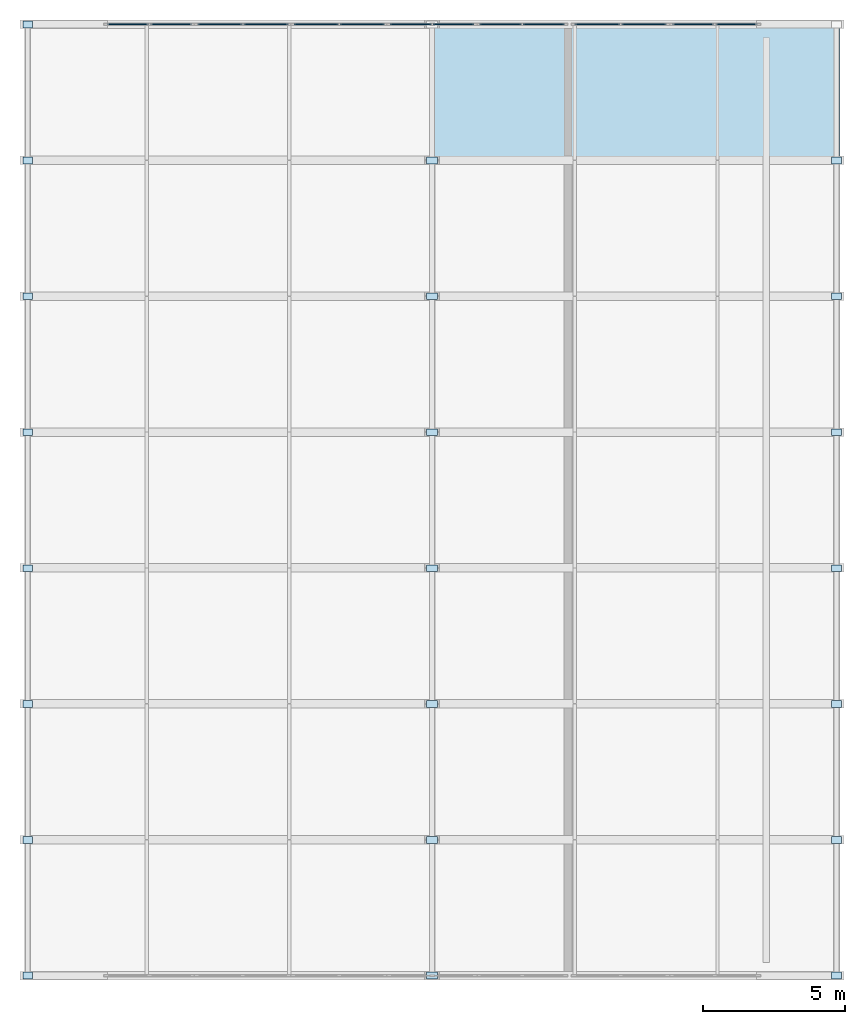
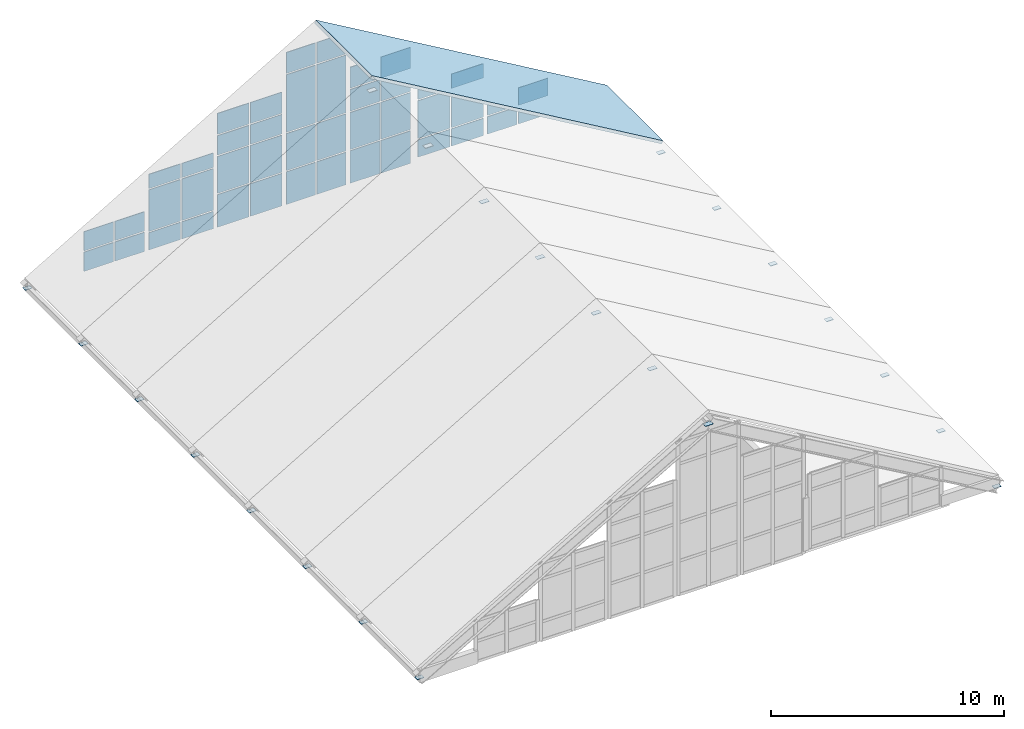
# One storey, part 6 of 7: 66 plates, 1 slab, 7 elements without a shape of their own.
"""IFC4 building model written with IfcOpenShell, lengths in metres."""

from ifc_helpers import new_model, si_unit, direction, frame, origin, origin_2d, place, context, subcontext, project, spatial, polyline, rectangle, outline, extrude, material, layer, layer_set, type_object, element, aggregate, save


model = new_model("IFC4")

# Units and contexts
model_context = context("Model", 3, precision=1e-05, world=origin(), true_north=direction((0.0, 1.0)))
body_context = subcontext(model_context, "Body", "Model", "MODEL_VIEW")
ifc_project = project(units=[si_unit("LENGTHUNIT", "METRE"), si_unit("AREAUNIT", "SQUARE_METRE"), si_unit("VOLUMEUNIT", "CUBIC_METRE"), si_unit("PLANEANGLEUNIT", "RADIAN"), si_unit("MASSUNIT", "GRAM", prefix="KILO")], contexts=[model_context])

# Site, building, storey
site_placement = place(None, origin())
site = spatial("IfcSite", under=ifc_project, at=site_placement, CompositionType="ELEMENT")
building_placement = place(site_placement, origin())
building = spatial("IfcBuilding", under=site, at=building_placement, Name="Nordkorset Police Headquarters", CompositionType="ELEMENT")
storey_placement = place(building_placement, frame((0.0, 0.0, 36.050048828125)))
storey = spatial("IfcBuildingStorey", under=building, at=storey_placement, Name="RF", CompositionType="ELEMENT", Elevation=36.050048828125)

# Curtain wall, plates
ifc_material_1 = material(Name="Aluminium alloy AW-6060", Category="aluminium")
ifc_layer_1 = layer(ifc_material_1, 0.179931640625, Name="Aluminium alloy AW-6060")
ifc_layer_set_1 = layer_set([ifc_layer_1], Name="Aluminium alloy AW-6060")
curtain_wall_type_1 = type_object("IfcCurtainWallType", Name="CW_Unit_312x221", PredefinedType="USERDEFINED", material=ifc_layer_set_1)
curtain_wall_1_placement = place(storey_placement, origin())
curtain_wall_1 = element("IfcCurtainWall", 1, at=curtain_wall_1_placement, inside=storey, type_object=curtain_wall_type_1, Name="Unitised Curtain Wall RF V1GBL-N-G1", ObjectType="UNITISED CURTAIN WALL", PredefinedType="USERDEFINED")
ifc_material_2 = material(Name="Low-iron triple glazing", Category="glass")
ifc_layer_2 = layer(ifc_material_2, 0.035888671875, Name="Low-iron triple glazing")
ifc_layer_set_2 = layer_set([ifc_layer_2], Name="Low-iron triple glazing")
plate_type_1 = type_object("IfcPlateType", Name="CW_Panel_TripleGlazing_36", PredefinedType="CURTAIN_PANEL", material=ifc_layer_set_2)
plate_1_placement = place(storey_placement, frame((3.65625, 116.800048828125, -0.125), z_axis=(0.0, 0.0, 1.0), x_axis=(1.0, 0.0, 0.0)))
plate_1 = element("IfcPlate", 2, at=plate_1_placement, type_object=plate_type_1, Name="CW-43 panel 1.1", PredefinedType="CURTAIN_PANEL", context=body_context, shape_type="SweptSolid", body=[
    extrude(rectangle(XDim=1.46240234375, YDim=0.035888671875, at=origin_2d()), origin(), (0.0, 0.0, 1.0), 1.00830078125),
])
plate_2_placement = place(storey_placement, frame((3.65625, 116.800048828125, 0.9482421875), z_axis=(0.0, 0.0, 1.0), x_axis=(1.0, 0.0, 0.0)))
plate_2 = element("IfcPlate", 3, at=plate_2_placement, type_object=plate_type_1, Name="CW-43 panel 1.2", PredefinedType="CURTAIN_PANEL", context=body_context, shape_type="SweptSolid", body=[
    extrude(rectangle(XDim=1.46240234375, YDim=0.035888671875, at=origin_2d()), origin(), (0.0, 0.0, 1.0), 1.00830078125),
])
plate_3_placement = place(storey_placement, frame((5.183837890625, 116.800048828125, -0.125), z_axis=(0.0, 0.0, 1.0), x_axis=(1.0, 0.0, 0.0)))
plate_3 = element("IfcPlate", 4, at=plate_3_placement, type_object=plate_type_1, Name="CW-43 panel 2.1", PredefinedType="CURTAIN_PANEL", context=body_context, shape_type="SweptSolid", body=[
    extrude(rectangle(XDim=1.46240234375, YDim=0.035888671875, at=origin_2d()), origin(), (0.0, 0.0, 1.0), 1.00830078125),
])
plate_4_placement = place(storey_placement, frame((5.183837890625, 116.800048828125, 0.9482421875), z_axis=(0.0, 0.0, 1.0), x_axis=(1.0, 0.0, 0.0)))
plate_4 = element("IfcPlate", 5, at=plate_4_placement, type_object=plate_type_1, Name="CW-43 panel 2.2", PredefinedType="CURTAIN_PANEL", context=body_context, shape_type="SweptSolid", body=[
    extrude(rectangle(XDim=1.46240234375, YDim=0.035888671875, at=origin_2d()), origin(), (0.0, 0.0, 1.0), 1.00830078125),
])
aggregate(curtain_wall_1, [plate_1, plate_2, plate_3, plate_4])

ifc_material_3 = material(Name="Aluminium alloy AW-6060", Category="aluminium")
ifc_layer_3 = layer(ifc_material_3, 0.179931640625, Name="Aluminium alloy AW-6060")
ifc_layer_set_3 = layer_set([ifc_layer_3], Name="Aluminium alloy AW-6060")
curtain_wall_type_2 = type_object("IfcCurtainWallType", Name="CW_Unit_332x409", PredefinedType="USERDEFINED", material=ifc_layer_set_3)
curtain_wall_2_placement = place(storey_placement, origin())
curtain_wall_2 = element("IfcCurtainWall", 6, at=curtain_wall_2_placement, inside=storey, type_object=curtain_wall_type_2, Name="Unitised Curtain Wall RF V1GBL-N-G2", ObjectType="UNITISED CURTAIN WALL", PredefinedType="USERDEFINED")
plate_5_placement = place(storey_placement, frame((6.90625, 116.800048828125, -0.125), z_axis=(0.0, 0.0, 1.0), x_axis=(1.0, 0.0, 0.0)))
plate_5 = element("IfcPlate", 7, at=plate_5_placement, type_object=plate_type_1, Name="CW-37 panel 1.1", PredefinedType="CURTAIN_PANEL", context=body_context, shape_type="SweptSolid", body=[
    extrude(rectangle(XDim=1.5625, YDim=0.035888671875, at=origin_2d()), origin(), (0.0, 0.0, 1.0), 0.902587890625),
])
plate_6_placement = place(storey_placement, frame((6.90625, 116.800048828125, 0.842529296875), z_axis=(0.0, 0.0, 1.0), x_axis=(1.0, 0.0, 0.0)))
plate_6 = element("IfcPlate", 8, at=plate_6_placement, type_object=plate_type_1, Name="CW-37 panel 1.2", PredefinedType="CURTAIN_PANEL", context=body_context, shape_type="SweptSolid", body=[
    extrude(rectangle(XDim=1.5625, YDim=0.035888671875, at=origin_2d()), origin(), (0.0, 0.0, 1.0), 2.17431640625),
])
plate_7_placement = place(storey_placement, frame((6.90625, 116.800048828125, 3.081787109375), z_axis=(0.0, 0.0, 1.0), x_axis=(1.0, 0.0, 0.0)))
plate_7 = element("IfcPlate", 9, at=plate_7_placement, type_object=plate_type_1, Name="CW-37 panel 1.3", PredefinedType="CURTAIN_PANEL", context=body_context, shape_type="SweptSolid", body=[
    extrude(rectangle(XDim=1.5625, YDim=0.035888671875, at=origin_2d()), origin(), (0.0, 0.0, 1.0), 0.75244140625),
])
plate_8_placement = place(storey_placement, frame((8.53369140625, 116.800048828125, -0.125), z_axis=(0.0, 0.0, 1.0), x_axis=(1.0, 0.0, 0.0)))
plate_8 = element("IfcPlate", 10, at=plate_8_placement, type_object=plate_type_1, Name="CW-37 panel 2.1", PredefinedType="CURTAIN_PANEL", context=body_context, shape_type="SweptSolid", body=[
    extrude(rectangle(XDim=1.5625, YDim=0.035888671875, at=origin_2d()), origin(), (0.0, 0.0, 1.0), 0.902587890625),
])
plate_9_placement = place(storey_placement, frame((8.53369140625, 116.800048828125, 0.842529296875), z_axis=(0.0, 0.0, 1.0), x_axis=(1.0, 0.0, 0.0)))
plate_9 = element("IfcPlate", 11, at=plate_9_placement, type_object=plate_type_1, Name="CW-37 panel 2.2", PredefinedType="CURTAIN_PANEL", context=body_context, shape_type="SweptSolid", body=[
    extrude(rectangle(XDim=1.5625, YDim=0.035888671875, at=origin_2d()), origin(), (0.0, 0.0, 1.0), 2.17431640625),
])
plate_10_placement = place(storey_placement, frame((8.53369140625, 116.800048828125, 3.081787109375), z_axis=(0.0, 0.0, 1.0), x_axis=(1.0, 0.0, 0.0)))
plate_10 = element("IfcPlate", 12, at=plate_10_placement, type_object=plate_type_1, Name="CW-37 panel 2.3", PredefinedType="CURTAIN_PANEL", context=body_context, shape_type="SweptSolid", body=[
    extrude(rectangle(XDim=1.5625, YDim=0.035888671875, at=origin_2d()), origin(), (0.0, 0.0, 1.0), 0.75244140625),
])
aggregate(curtain_wall_2, [plate_5, plate_6, plate_7, plate_8, plate_9, plate_10])

ifc_material_4 = material(Name="Aluminium alloy AW-6060", Category="aluminium")
ifc_layer_4 = layer(ifc_material_4, 0.179931640625, Name="Aluminium alloy AW-6060")
ifc_layer_set_4 = layer_set([ifc_layer_4], Name="Aluminium alloy AW-6060")
curtain_wall_type_3 = type_object("IfcCurtainWallType", Name="CW_Unit_332x608", PredefinedType="USERDEFINED", material=ifc_layer_set_4)
curtain_wall_3_placement = place(storey_placement, origin())
curtain_wall_3 = element("IfcCurtainWall", 13, at=curtain_wall_3_placement, inside=storey, type_object=curtain_wall_type_3, Name="Unitised Curtain Wall RF V1GBL-N-G3", ObjectType="UNITISED CURTAIN WALL", PredefinedType="USERDEFINED")
plate_11_placement = place(storey_placement, frame((10.30615234375, 116.800048828125, -0.125), z_axis=(0.0, 0.0, 1.0), x_axis=(1.0, 0.0, 0.0)))
plate_11 = element("IfcPlate", 14, at=plate_11_placement, type_object=plate_type_1, Name="CW-15 panel 1.1", PredefinedType="CURTAIN_PANEL", context=body_context, shape_type="SweptSolid", body=[
    extrude(rectangle(XDim=1.5625, YDim=0.035888671875, at=origin_2d()), origin(), (0.0, 0.0, 1.0), 1.702392578125),
])
plate_12_placement = place(storey_placement, frame((10.30615234375, 116.800048828125, 1.642333984375), z_axis=(0.0, 0.0, 1.0), x_axis=(1.0, 0.0, 0.0)))
plate_12 = element("IfcPlate", 15, at=plate_12_placement, type_object=plate_type_1, Name="CW-15 panel 1.2", PredefinedType="CURTAIN_PANEL", context=body_context, shape_type="SweptSolid", body=[
    extrude(rectangle(XDim=1.5625, YDim=0.035888671875, at=origin_2d()), origin(), (0.0, 0.0, 1.0), 1.93505859375),
])
plate_13_placement = place(storey_placement, frame((10.30615234375, 116.800048828125, 3.642578125), z_axis=(0.0, 0.0, 1.0), x_axis=(1.0, 0.0, 0.0)))
plate_13 = element("IfcPlate", 16, at=plate_13_placement, type_object=plate_type_1, Name="CW-15 panel 1.3", PredefinedType="CURTAIN_PANEL", context=body_context, shape_type="SweptSolid", body=[
    extrude(rectangle(XDim=1.5625, YDim=0.035888671875, at=origin_2d()), origin(), (0.0, 0.0, 1.0), 1.019287109375),
])
plate_14_placement = place(storey_placement, frame((10.30615234375, 116.800048828125, 4.726806640625), z_axis=(0.0, 0.0, 1.0), x_axis=(1.0, 0.0, 0.0)))
plate_14 = element("IfcPlate", 17, at=plate_14_placement, type_object=plate_type_1, Name="CW-15 panel 1.4", PredefinedType="CURTAIN_PANEL", context=body_context, shape_type="SweptSolid", body=[
    extrude(rectangle(XDim=1.5625, YDim=0.035888671875, at=origin_2d()), origin(), (0.0, 0.0, 1.0), 1.1025390625),
])
plate_15_placement = place(storey_placement, frame((11.933837890625, 116.800048828125, -0.125), z_axis=(0.0, 0.0, 1.0), x_axis=(1.0, 0.0, 0.0)))
plate_15 = element("IfcPlate", 18, at=plate_15_placement, type_object=plate_type_1, Name="CW-15 panel 2.1", PredefinedType="CURTAIN_PANEL", context=body_context, shape_type="SweptSolid", body=[
    extrude(rectangle(XDim=1.5625, YDim=0.035888671875, at=origin_2d()), origin(), (0.0, 0.0, 1.0), 1.702392578125),
])
plate_16_placement = place(storey_placement, frame((11.933837890625, 116.800048828125, 1.642333984375), z_axis=(0.0, 0.0, 1.0), x_axis=(1.0, 0.0, 0.0)))
plate_16 = element("IfcPlate", 19, at=plate_16_placement, type_object=plate_type_1, Name="CW-15 panel 2.2", PredefinedType="CURTAIN_PANEL", context=body_context, shape_type="SweptSolid", body=[
    extrude(rectangle(XDim=1.5625, YDim=0.035888671875, at=origin_2d()), origin(), (0.0, 0.0, 1.0), 1.93505859375),
])
plate_17_placement = place(storey_placement, frame((11.933837890625, 116.800048828125, 3.642578125), z_axis=(0.0, 0.0, 1.0), x_axis=(1.0, 0.0, 0.0)))
plate_17 = element("IfcPlate", 20, at=plate_17_placement, type_object=plate_type_1, Name="CW-15 panel 2.3", PredefinedType="CURTAIN_PANEL", context=body_context, shape_type="SweptSolid", body=[
    extrude(rectangle(XDim=1.5625, YDim=0.035888671875, at=origin_2d()), origin(), (0.0, 0.0, 1.0), 1.019287109375),
])
plate_18_placement = place(storey_placement, frame((11.933837890625, 116.800048828125, 4.726806640625), z_axis=(0.0, 0.0, 1.0), x_axis=(1.0, 0.0, 0.0)))
plate_18 = element("IfcPlate", 21, at=plate_18_placement, type_object=plate_type_1, Name="CW-15 panel 2.4", PredefinedType="CURTAIN_PANEL", context=body_context, shape_type="SweptSolid", body=[
    extrude(rectangle(XDim=1.5625, YDim=0.035888671875, at=origin_2d()), origin(), (0.0, 0.0, 1.0), 1.1025390625),
])
aggregate(curtain_wall_3, [plate_11, plate_12, plate_13, plate_14, plate_15, plate_16, plate_17, plate_18])

ifc_material_5 = material(Name="Aluminium alloy AW-6060", Category="aluminium")
ifc_layer_5 = layer(ifc_material_5, 0.179931640625, Name="Aluminium alloy AW-6060")
ifc_layer_set_5 = layer_set([ifc_layer_5], Name="Aluminium alloy AW-6060")
curtain_wall_type_4 = type_object("IfcCurtainWallType", Name="CW_Unit_308x808", PredefinedType="USERDEFINED", material=ifc_layer_set_5)
curtain_wall_4_placement = place(storey_placement, origin())
curtain_wall_4 = element("IfcCurtainWall", 22, at=curtain_wall_4_placement, inside=storey, type_object=curtain_wall_type_4, Name="Unitised Curtain Wall RF V1GBL-N-G4", ObjectType="UNITISED CURTAIN WALL", PredefinedType="USERDEFINED")
plate_19_placement = place(storey_placement, frame((13.646240234375, 116.800048828125, -0.125), z_axis=(0.0, 0.0, 1.0), x_axis=(1.0, 0.0, 0.0)))
plate_19 = element("IfcPlate", 23, at=plate_19_placement, type_object=plate_type_1, Name="CW-30 panel 1.1", PredefinedType="CURTAIN_PANEL", context=body_context, shape_type="SweptSolid", body=[
    extrude(rectangle(XDim=1.4423828125, YDim=0.035888671875, at=origin_2d()), origin(), (0.0, 0.0, 1.0), 1.702392578125),
])
plate_20_placement = place(storey_placement, frame((13.646240234375, 116.800048828125, 1.642333984375), z_axis=(0.0, 0.0, 1.0), x_axis=(1.0, 0.0, 0.0)))
plate_20 = element("IfcPlate", 24, at=plate_20_placement, type_object=plate_type_1, Name="CW-30 panel 1.2", PredefinedType="CURTAIN_PANEL", context=body_context, shape_type="SweptSolid", body=[
    extrude(rectangle(XDim=1.4423828125, YDim=0.035888671875, at=origin_2d()), origin(), (0.0, 0.0, 1.0), 1.93505859375),
])
plate_21_placement = place(storey_placement, frame((13.646240234375, 116.800048828125, 3.642333984375), z_axis=(0.0, 0.0, 1.0), x_axis=(1.0, 0.0, 0.0)))
plate_21 = element("IfcPlate", 25, at=plate_21_placement, type_object=plate_type_1, Name="CW-30 panel 1.3", PredefinedType="CURTAIN_PANEL", context=body_context, shape_type="SweptSolid", body=[
    extrude(rectangle(XDim=1.4423828125, YDim=0.035888671875, at=origin_2d()), origin(), (0.0, 0.0, 1.0), 3.0146484375),
])
plate_22_placement = place(storey_placement, frame((13.646240234375, 116.800048828125, 6.721923828125), z_axis=(0.0, 0.0, 1.0), x_axis=(1.0, 0.0, 0.0)))
plate_22 = element("IfcPlate", 26, at=plate_22_placement, type_object=plate_type_1, Name="CW-30 panel 1.4", PredefinedType="CURTAIN_PANEL", context=body_context, shape_type="SweptSolid", body=[
    extrude(rectangle(XDim=1.4423828125, YDim=0.035888671875, at=origin_2d()), origin(), (0.0, 0.0, 1.0), 1.1025390625),
])
plate_23_placement = place(storey_placement, frame((15.15380859375, 116.800048828125, -0.125), z_axis=(0.0, 0.0, 1.0), x_axis=(1.0, 0.0, 0.0)))
plate_23 = element("IfcPlate", 27, at=plate_23_placement, type_object=plate_type_1, Name="CW-30 panel 2.1", PredefinedType="CURTAIN_PANEL", context=body_context, shape_type="SweptSolid", body=[
    extrude(rectangle(XDim=1.4423828125, YDim=0.035888671875, at=origin_2d()), origin(), (0.0, 0.0, 1.0), 1.702392578125),
])
plate_24_placement = place(storey_placement, frame((15.15380859375, 116.800048828125, 1.642333984375), z_axis=(0.0, 0.0, 1.0), x_axis=(1.0, 0.0, 0.0)))
plate_24 = element("IfcPlate", 28, at=plate_24_placement, type_object=plate_type_1, Name="CW-30 panel 2.2", PredefinedType="CURTAIN_PANEL", context=body_context, shape_type="SweptSolid", body=[
    extrude(rectangle(XDim=1.4423828125, YDim=0.035888671875, at=origin_2d()), origin(), (0.0, 0.0, 1.0), 1.93505859375),
])
plate_25_placement = place(storey_placement, frame((15.15380859375, 116.800048828125, 3.642333984375), z_axis=(0.0, 0.0, 1.0), x_axis=(1.0, 0.0, 0.0)))
plate_25 = element("IfcPlate", 29, at=plate_25_placement, type_object=plate_type_1, Name="CW-30 panel 2.3", PredefinedType="CURTAIN_PANEL", context=body_context, shape_type="SweptSolid", body=[
    extrude(rectangle(XDim=1.4423828125, YDim=0.035888671875, at=origin_2d()), origin(), (0.0, 0.0, 1.0), 3.0146484375),
])
plate_26_placement = place(storey_placement, frame((15.15380859375, 116.800048828125, 6.721923828125), z_axis=(0.0, 0.0, 1.0), x_axis=(1.0, 0.0, 0.0)))
plate_26 = element("IfcPlate", 30, at=plate_26_placement, type_object=plate_type_1, Name="CW-30 panel 2.4", PredefinedType="CURTAIN_PANEL", context=body_context, shape_type="SweptSolid", body=[
    extrude(rectangle(XDim=1.4423828125, YDim=0.035888671875, at=origin_2d()), origin(), (0.0, 0.0, 1.0), 1.1025390625),
])
aggregate(curtain_wall_4, [plate_19, plate_20, plate_21, plate_22, plate_23, plate_24, plate_25, plate_26])

ifc_material_6 = material(Name="Aluminium alloy AW-6060", Category="aluminium")
ifc_layer_6 = layer(ifc_material_6, 0.179931640625, Name="Aluminium alloy AW-6060")
ifc_layer_set_6 = layer_set([ifc_layer_6], Name="Aluminium alloy AW-6060")
curtain_wall_type_5 = type_object("IfcCurtainWallType", Name="CW_Unit_312x620", PredefinedType="USERDEFINED", material=ifc_layer_set_6)
curtain_wall_5_placement = place(storey_placement, origin())
curtain_wall_5 = element("IfcCurtainWall", 31, at=curtain_wall_5_placement, inside=storey, type_object=curtain_wall_type_5, Name="Unitised Curtain Wall RF V1GBL-N-G5", ObjectType="UNITISED CURTAIN WALL", PredefinedType="USERDEFINED")
plate_27_placement = place(storey_placement, frame((16.816162109375, 116.800048828125, -0.125), z_axis=(0.0, 0.0, 1.0), x_axis=(1.0, 0.0, 0.0)))
plate_27 = element("IfcPlate", 32, at=plate_27_placement, type_object=plate_type_1, Name="CW-44 panel 1.1", PredefinedType="CURTAIN_PANEL", context=body_context, shape_type="SweptSolid", body=[
    extrude(rectangle(XDim=1.46240234375, YDim=0.035888671875, at=origin_2d()), origin(), (0.0, 0.0, 1.0), 1.702392578125),
])
plate_28_placement = place(storey_placement, frame((16.816162109375, 116.800048828125, 1.642333984375), z_axis=(0.0, 0.0, 1.0), x_axis=(1.0, 0.0, 0.0)))
plate_28 = element("IfcPlate", 33, at=plate_28_placement, type_object=plate_type_1, Name="CW-44 panel 1.2", PredefinedType="CURTAIN_PANEL", context=body_context, shape_type="SweptSolid", body=[
    extrude(rectangle(XDim=1.46240234375, YDim=0.035888671875, at=origin_2d()), origin(), (0.0, 0.0, 1.0), 1.93505859375),
])
plate_29_placement = place(storey_placement, frame((16.816162109375, 116.800048828125, 3.642578125), z_axis=(0.0, 0.0, 1.0), x_axis=(1.0, 0.0, 0.0)))
plate_29 = element("IfcPlate", 34, at=plate_29_placement, type_object=plate_type_1, Name="CW-44 panel 1.3", PredefinedType="CURTAIN_PANEL", context=body_context, shape_type="SweptSolid", body=[
    extrude(rectangle(XDim=1.46240234375, YDim=0.035888671875, at=origin_2d()), origin(), (0.0, 0.0, 1.0), 1.13671875),
])
plate_30_placement = place(storey_placement, frame((16.816162109375, 116.800048828125, 4.84423828125), z_axis=(0.0, 0.0, 1.0), x_axis=(1.0, 0.0, 0.0)))
plate_30 = element("IfcPlate", 35, at=plate_30_placement, type_object=plate_type_1, Name="CW-44 panel 1.4", PredefinedType="CURTAIN_PANEL", context=body_context, shape_type="SweptSolid", body=[
    extrude(rectangle(XDim=1.46240234375, YDim=0.035888671875, at=origin_2d()), origin(), (0.0, 0.0, 1.0), 1.1025390625),
])
plate_31_placement = place(storey_placement, frame((18.34375, 116.800048828125, -0.125), z_axis=(0.0, 0.0, 1.0), x_axis=(1.0, 0.0, 0.0)))
plate_31 = element("IfcPlate", 36, at=plate_31_placement, type_object=plate_type_1, Name="CW-44 panel 2.1", PredefinedType="CURTAIN_PANEL", context=body_context, shape_type="SweptSolid", body=[
    extrude(rectangle(XDim=1.46240234375, YDim=0.035888671875, at=origin_2d()), origin(), (0.0, 0.0, 1.0), 1.702392578125),
])
plate_32_placement = place(storey_placement, frame((18.34375, 116.800048828125, 1.642333984375), z_axis=(0.0, 0.0, 1.0), x_axis=(1.0, 0.0, 0.0)))
plate_32 = element("IfcPlate", 37, at=plate_32_placement, type_object=plate_type_1, Name="CW-44 panel 2.2", PredefinedType="CURTAIN_PANEL", context=body_context, shape_type="SweptSolid", body=[
    extrude(rectangle(XDim=1.46240234375, YDim=0.035888671875, at=origin_2d()), origin(), (0.0, 0.0, 1.0), 1.93505859375),
])
plate_33_placement = place(storey_placement, frame((18.34375, 116.800048828125, 3.642578125), z_axis=(0.0, 0.0, 1.0), x_axis=(1.0, 0.0, 0.0)))
plate_33 = element("IfcPlate", 38, at=plate_33_placement, type_object=plate_type_1, Name="CW-44 panel 2.3", PredefinedType="CURTAIN_PANEL", context=body_context, shape_type="SweptSolid", body=[
    extrude(rectangle(XDim=1.46240234375, YDim=0.035888671875, at=origin_2d()), origin(), (0.0, 0.0, 1.0), 1.13671875),
])
plate_34_placement = place(storey_placement, frame((18.34375, 116.800048828125, 4.84423828125), z_axis=(0.0, 0.0, 1.0), x_axis=(1.0, 0.0, 0.0)))
plate_34 = element("IfcPlate", 39, at=plate_34_placement, type_object=plate_type_1, Name="CW-44 panel 2.4", PredefinedType="CURTAIN_PANEL", context=body_context, shape_type="SweptSolid", body=[
    extrude(rectangle(XDim=1.46240234375, YDim=0.035888671875, at=origin_2d()), origin(), (0.0, 0.0, 1.0), 1.1025390625),
])
aggregate(curtain_wall_5, [plate_27, plate_28, plate_29, plate_30, plate_31, plate_32, plate_33, plate_34])

ifc_material_7 = material(Name="Aluminium alloy AW-6060", Category="aluminium")
ifc_layer_7 = layer(ifc_material_7, 0.179931640625, Name="Aluminium alloy AW-6060")
ifc_layer_set_7 = layer_set([ifc_layer_7], Name="Aluminium alloy AW-6060")
curtain_wall_type_6 = type_object("IfcCurtainWallType", Name="CW_Unit_336x390", PredefinedType="USERDEFINED", material=ifc_layer_set_7)
curtain_wall_6_placement = place(storey_placement, origin())
curtain_wall_6 = element("IfcCurtainWall", 40, at=curtain_wall_6_placement, inside=storey, type_object=curtain_wall_type_6, Name="Unitised Curtain Wall RF V1GBL-N-G6", ObjectType="UNITISED CURTAIN WALL", PredefinedType="USERDEFINED")
plate_35_placement = place(storey_placement, frame((20.236328125, 116.800048828125, 0.06494140625), z_axis=(0.0, 0.0, 1.0), x_axis=(1.0, 0.0, 0.0)))
plate_35 = element("IfcPlate", 41, at=plate_35_placement, type_object=plate_type_1, Name="CW-62 panel 1.1", PredefinedType="CURTAIN_PANEL", context=body_context, shape_type="SweptSolid", body=[
    extrude(rectangle(XDim=1.58251953125, YDim=0.035888671875, at=origin_2d()), origin(), (0.0, 0.0, 1.0), 0.902587890625),
])
plate_36_placement = place(storey_placement, frame((20.236328125, 116.800048828125, 1.032470703125), z_axis=(0.0, 0.0, 1.0), x_axis=(1.0, 0.0, 0.0)))
plate_36 = element("IfcPlate", 42, at=plate_36_placement, type_object=plate_type_1, Name="CW-62 panel 1.2", PredefinedType="CURTAIN_PANEL", context=body_context, shape_type="SweptSolid", body=[
    extrude(rectangle(XDim=1.58251953125, YDim=0.035888671875, at=origin_2d()), origin(), (0.0, 0.0, 1.0), 1.984375),
])
plate_37_placement = place(storey_placement, frame((20.236328125, 116.800048828125, 3.081787109375), z_axis=(0.0, 0.0, 1.0), x_axis=(1.0, 0.0, 0.0)))
plate_37 = element("IfcPlate", 43, at=plate_37_placement, type_object=plate_type_1, Name="CW-62 panel 1.3", PredefinedType="CURTAIN_PANEL", context=body_context, shape_type="SweptSolid", body=[
    extrude(rectangle(XDim=1.58251953125, YDim=0.035888671875, at=origin_2d()), origin(), (0.0, 0.0, 1.0), 0.75244140625),
])
plate_38_placement = place(storey_placement, frame((21.8837890625, 116.800048828125, 0.06494140625), z_axis=(0.0, 0.0, 1.0), x_axis=(1.0, 0.0, 0.0)))
plate_38 = element("IfcPlate", 44, at=plate_38_placement, type_object=plate_type_1, Name="CW-62 panel 2.1", PredefinedType="CURTAIN_PANEL", context=body_context, shape_type="SweptSolid", body=[
    extrude(rectangle(XDim=1.58251953125, YDim=0.035888671875, at=origin_2d()), origin(), (0.0, 0.0, 1.0), 0.902587890625),
])
plate_39_placement = place(storey_placement, frame((21.8837890625, 116.800048828125, 1.032470703125), z_axis=(0.0, 0.0, 1.0), x_axis=(1.0, 0.0, 0.0)))
plate_39 = element("IfcPlate", 45, at=plate_39_placement, type_object=plate_type_1, Name="CW-62 panel 2.2", PredefinedType="CURTAIN_PANEL", context=body_context, shape_type="SweptSolid", body=[
    extrude(rectangle(XDim=1.58251953125, YDim=0.035888671875, at=origin_2d()), origin(), (0.0, 0.0, 1.0), 1.984375),
])
plate_40_placement = place(storey_placement, frame((21.8837890625, 116.800048828125, 3.081787109375), z_axis=(0.0, 0.0, 1.0), x_axis=(1.0, 0.0, 0.0)))
plate_40 = element("IfcPlate", 46, at=plate_40_placement, type_object=plate_type_1, Name="CW-62 panel 2.3", PredefinedType="CURTAIN_PANEL", context=body_context, shape_type="SweptSolid", body=[
    extrude(rectangle(XDim=1.58251953125, YDim=0.035888671875, at=origin_2d()), origin(), (0.0, 0.0, 1.0), 0.75244140625),
])
aggregate(curtain_wall_6, [plate_35, plate_36, plate_37, plate_38, plate_39, plate_40])

ifc_material_8 = material(Name="Aluminium alloy AW-6060", Category="aluminium")
ifc_layer_8 = layer(ifc_material_8, 0.179931640625, Name="Aluminium alloy AW-6060")
ifc_layer_set_8 = layer_set([ifc_layer_8], Name="Aluminium alloy AW-6060")
curtain_wall_type_7 = type_object("IfcCurtainWallType", Name="CW_Unit_312x202", PredefinedType="USERDEFINED", material=ifc_layer_set_8)
curtain_wall_7_placement = place(storey_placement, origin())
curtain_wall_7 = element("IfcCurtainWall", 47, at=curtain_wall_7_placement, inside=storey, type_object=curtain_wall_type_7, Name="Unitised Curtain Wall RF V1GBL-N-G7", ObjectType="UNITISED CURTAIN WALL", PredefinedType="USERDEFINED")
plate_41_placement = place(storey_placement, frame((23.6162109375, 116.800048828125, 0.06494140625), z_axis=(0.0, 0.0, 1.0), x_axis=(1.0, 0.0, 0.0)))
plate_41 = element("IfcPlate", 48, at=plate_41_placement, type_object=plate_type_1, Name="CW-27 panel 1.1", PredefinedType="CURTAIN_PANEL", context=body_context, shape_type="SweptSolid", body=[
    extrude(rectangle(XDim=1.46240234375, YDim=0.035888671875, at=origin_2d()), origin(), (0.0, 0.0, 1.0), 0.9130859375),
])
plate_42_placement = place(storey_placement, frame((23.6162109375, 116.800048828125, 1.04296875), z_axis=(0.0, 0.0, 1.0), x_axis=(1.0, 0.0, 0.0)))
plate_42 = element("IfcPlate", 49, at=plate_42_placement, type_object=plate_type_1, Name="CW-27 panel 1.2", PredefinedType="CURTAIN_PANEL", context=body_context, shape_type="SweptSolid", body=[
    extrude(rectangle(XDim=1.46240234375, YDim=0.035888671875, at=origin_2d()), origin(), (0.0, 0.0, 1.0), 0.913330078125),
])
plate_43_placement = place(storey_placement, frame((25.143798828125, 116.800048828125, 0.06494140625), z_axis=(0.0, 0.0, 1.0), x_axis=(1.0, 0.0, 0.0)))
plate_43 = element("IfcPlate", 50, at=plate_43_placement, type_object=plate_type_1, Name="CW-27 panel 2.1", PredefinedType="CURTAIN_PANEL", context=body_context, shape_type="SweptSolid", body=[
    extrude(rectangle(XDim=1.46240234375, YDim=0.035888671875, at=origin_2d()), origin(), (0.0, 0.0, 1.0), 0.9130859375),
])
plate_44_placement = place(storey_placement, frame((25.143798828125, 116.800048828125, 1.04296875), z_axis=(0.0, 0.0, 1.0), x_axis=(1.0, 0.0, 0.0)))
plate_44 = element("IfcPlate", 51, at=plate_44_placement, type_object=plate_type_1, Name="CW-27 panel 2.2", PredefinedType="CURTAIN_PANEL", context=body_context, shape_type="SweptSolid", body=[
    extrude(rectangle(XDim=1.46240234375, YDim=0.035888671875, at=origin_2d()), origin(), (0.0, 0.0, 1.0), 0.913330078125),
])
aggregate(curtain_wall_7, [plate_41, plate_42, plate_43, plate_44])

# Slab
ifc_material_9 = material(Name="Concrete C35/45", Category="concrete")
ifc_layer_9 = layer(ifc_material_9, 0.155029296875, Name="Concrete C35/45")
ifc_layer_set_9 = layer_set([ifc_layer_9], Name="Concrete C35/45")
slab_type = type_object("IfcSlabType", Name="Slab_RoofGable_155", PredefinedType="ROOF", material=ifc_layer_set_9)
slab_placement = place(storey_placement, frame((14.39990234375, 112.0, 9.0), z_axis=(0.506097719722, 0.0, 0.862476143491), x_axis=(0.862476143491, 0.0, -0.506097719722)))
element("IfcSlab", 52, at=slab_placement, inside=storey, type_object=slab_type, Name="Folded-Plate Gabled Glass Roof Deck East Bay 7", PredefinedType="ROOF", context=body_context, shape_type="SweptSolid", body=[
    extrude(outline(polyline([(0.0, 0.0), (16.69628382540646, 0.0), (16.69628382540646, 4.800048828125), (0.0, 4.800048828125), (0.0, 0.0)])), origin(), (0.0, 0.0, -1.0), 0.155029296875),
])

# Plates
ifc_material_10 = material(Name="Steel S355J2", Category="steel")
ifc_layer_10 = layer(ifc_material_10, 0.02001953125, Name="Steel S355J2")
ifc_layer_set_10 = layer_set([ifc_layer_10], Name="Steel S355J2")
plate_type_2 = type_object("IfcPlateType", Name="SteelPlate_20mm", PredefinedType="SHEET", material=ifc_layer_set_10)
for number, where, z_axis, x_axis, name in (
    (53, (14.39990234375, 83.20703125, 8.239990234375), (0.0, 0.0, 1.0), (1.0, 0.0, 0.0), "Hollow Section End Cap Plate CHD-V1-RDG-0-0"),
    (54, (14.39990234375, 87.992919921875, 8.239990234375), (0.0, 0.0, 1.0), (1.0, 0.0, 0.0), "Hollow Section End Cap Plate CHD-V1-RDG-0-1"),
):
    element("IfcPlate", number, at=place(storey_placement, frame(where, z_axis=z_axis, x_axis=x_axis)), inside=storey, type_object=plate_type_2, Name=name, PredefinedType="SHEET", context=body_context, shape_type="SweptSolid", body=[
        extrude(rectangle(XDim=0.389892578125, YDim=0.239990234375, at=origin_2d()), origin(), (0.0, 0.0, 1.0), 0.02001953125),
    ])
for number, where, z_axis, x_axis, name in (
    (55, (0.1201171875, 83.20703125, -0.02001953125), (0.0, 0.0, 1.0), (1.0, 0.0, 0.0), "Hollow Section End Cap Plate CHD-V1-EAV-W-0-0"),
    (56, (0.1201171875, 87.992919921875, -0.02001953125), (0.0, 0.0, 1.0), (1.0, 0.0, 0.0), "Hollow Section End Cap Plate CHD-V1-EAV-W-0-1"),
    (57, (28.679931640625, 83.20703125, -0.02001953125), (0.0, 0.0, 1.0), (1.0, 0.0, 0.0), "Hollow Section End Cap Plate CHD-V1-EAV-E-0-0"),
    (58, (28.679931640625, 87.992919921875, -0.02001953125), (0.0, 0.0, 1.0), (1.0, 0.0, 0.0), "Hollow Section End Cap Plate CHD-V1-EAV-E-0-1"),
):
    element("IfcPlate", number, at=place(storey_placement, frame(where, z_axis=z_axis, x_axis=x_axis)), inside=storey, type_object=plate_type_2, Name=name, PredefinedType="SHEET", context=body_context, shape_type="SweptSolid", body=[
        extrude(rectangle(XDim=0.340087890625, YDim=0.239990234375, at=origin_2d()), origin(), (0.0, 0.0, 1.0), 0.02001953125),
    ])
plate_45_placement = place(storey_placement, frame((14.39990234375, 92.79296875, 8.239990234375), z_axis=(0.0, 0.0, 1.0), x_axis=(1.0, 0.0, 0.0)))
element("IfcPlate", 59, at=plate_45_placement, inside=storey, type_object=plate_type_2, Name="Hollow Section End Cap Plate CHD-V1-RDG-1-1", PredefinedType="SHEET", context=body_context, shape_type="SweptSolid", body=[
    extrude(rectangle(XDim=0.389892578125, YDim=0.239990234375, at=origin_2d()), origin(), (0.0, 0.0, 1.0), 0.02001953125),
])
for number, where, z_axis, x_axis, name in (
    (60, (0.1201171875, 92.79296875, -0.02001953125), (0.0, 0.0, 1.0), (1.0, 0.0, 0.0), "Hollow Section End Cap Plate CHD-V1-EAV-W-1-1"),
    (61, (28.679931640625, 92.79296875, -0.02001953125), (0.0, 0.0, 1.0), (1.0, 0.0, 0.0), "Hollow Section End Cap Plate CHD-V1-EAV-E-1-1"),
):
    element("IfcPlate", number, at=place(storey_placement, frame(where, z_axis=z_axis, x_axis=x_axis)), inside=storey, type_object=plate_type_2, Name=name, PredefinedType="SHEET", context=body_context, shape_type="SweptSolid", body=[
        extrude(rectangle(XDim=0.340087890625, YDim=0.239990234375, at=origin_2d()), origin(), (0.0, 0.0, 1.0), 0.02001953125),
    ])
plate_46_placement = place(storey_placement, frame((14.39990234375, 97.593017578125, 8.239990234375), z_axis=(0.0, 0.0, 1.0), x_axis=(1.0, 0.0, 0.0)))
element("IfcPlate", 62, at=plate_46_placement, inside=storey, type_object=plate_type_2, Name="Hollow Section End Cap Plate CHD-V1-RDG-2-1", PredefinedType="SHEET", context=body_context, shape_type="SweptSolid", body=[
    extrude(rectangle(XDim=0.389892578125, YDim=0.239990234375, at=origin_2d()), origin(), (0.0, 0.0, 1.0), 0.02001953125),
])
for number, where, z_axis, x_axis, name in (
    (63, (0.1201171875, 97.593017578125, -0.02001953125), (0.0, 0.0, 1.0), (1.0, 0.0, 0.0), "Hollow Section End Cap Plate CHD-V1-EAV-W-2-1"),
    (64, (28.679931640625, 97.593017578125, -0.02001953125), (0.0, 0.0, 1.0), (1.0, 0.0, 0.0), "Hollow Section End Cap Plate CHD-V1-EAV-E-2-1"),
):
    element("IfcPlate", number, at=place(storey_placement, frame(where, z_axis=z_axis, x_axis=x_axis)), inside=storey, type_object=plate_type_2, Name=name, PredefinedType="SHEET", context=body_context, shape_type="SweptSolid", body=[
        extrude(rectangle(XDim=0.340087890625, YDim=0.239990234375, at=origin_2d()), origin(), (0.0, 0.0, 1.0), 0.02001953125),
    ])
plate_47_placement = place(storey_placement, frame((14.39990234375, 102.39306640625, 8.239990234375), z_axis=(0.0, 0.0, 1.0), x_axis=(1.0, 0.0, 0.0)))
element("IfcPlate", 65, at=plate_47_placement, inside=storey, type_object=plate_type_2, Name="Hollow Section End Cap Plate CHD-V1-RDG-3-1", PredefinedType="SHEET", context=body_context, shape_type="SweptSolid", body=[
    extrude(rectangle(XDim=0.389892578125, YDim=0.239990234375, at=origin_2d()), origin(), (0.0, 0.0, 1.0), 0.02001953125),
])
for number, where, z_axis, x_axis, name in (
    (66, (0.1201171875, 102.39306640625, -0.02001953125), (0.0, 0.0, 1.0), (1.0, 0.0, 0.0), "Hollow Section End Cap Plate CHD-V1-EAV-W-3-1"),
    (67, (28.679931640625, 102.39306640625, -0.02001953125), (0.0, 0.0, 1.0), (1.0, 0.0, 0.0), "Hollow Section End Cap Plate CHD-V1-EAV-E-3-1"),
):
    element("IfcPlate", number, at=place(storey_placement, frame(where, z_axis=z_axis, x_axis=x_axis)), inside=storey, type_object=plate_type_2, Name=name, PredefinedType="SHEET", context=body_context, shape_type="SweptSolid", body=[
        extrude(rectangle(XDim=0.340087890625, YDim=0.239990234375, at=origin_2d()), origin(), (0.0, 0.0, 1.0), 0.02001953125),
    ])
plate_48_placement = place(storey_placement, frame((14.39990234375, 107.193115234375, 8.239990234375), z_axis=(0.0, 0.0, 1.0), x_axis=(1.0, 0.0, 0.0)))
element("IfcPlate", 68, at=plate_48_placement, inside=storey, type_object=plate_type_2, Name="Hollow Section End Cap Plate CHD-V1-RDG-4-1", PredefinedType="SHEET", context=body_context, shape_type="SweptSolid", body=[
    extrude(rectangle(XDim=0.389892578125, YDim=0.239990234375, at=origin_2d()), origin(), (0.0, 0.0, 1.0), 0.02001953125),
])
for number, where, z_axis, x_axis, name in (
    (69, (0.1201171875, 107.193115234375, -0.02001953125), (0.0, 0.0, 1.0), (1.0, 0.0, 0.0), "Hollow Section End Cap Plate CHD-V1-EAV-W-4-1"),
    (70, (28.679931640625, 107.193115234375, -0.02001953125), (0.0, 0.0, 1.0), (1.0, 0.0, 0.0), "Hollow Section End Cap Plate CHD-V1-EAV-E-4-1"),
):
    element("IfcPlate", number, at=place(storey_placement, frame(where, z_axis=z_axis, x_axis=x_axis)), inside=storey, type_object=plate_type_2, Name=name, PredefinedType="SHEET", context=body_context, shape_type="SweptSolid", body=[
        extrude(rectangle(XDim=0.340087890625, YDim=0.239990234375, at=origin_2d()), origin(), (0.0, 0.0, 1.0), 0.02001953125),
    ])
plate_49_placement = place(storey_placement, frame((14.39990234375, 111.992919921875, 8.239990234375), z_axis=(0.0, 0.0, 1.0), x_axis=(1.0, 0.0, 0.0)))
element("IfcPlate", 71, at=plate_49_placement, inside=storey, type_object=plate_type_2, Name="Hollow Section End Cap Plate CHD-V1-RDG-5-1", PredefinedType="SHEET", context=body_context, shape_type="SweptSolid", body=[
    extrude(rectangle(XDim=0.389892578125, YDim=0.239990234375, at=origin_2d()), origin(), (0.0, 0.0, 1.0), 0.02001953125),
])
for number, where, z_axis, x_axis, name in (
    (72, (0.1201171875, 111.992919921875, -0.02001953125), (0.0, 0.0, 1.0), (1.0, 0.0, 0.0), "Hollow Section End Cap Plate CHD-V1-EAV-W-5-1"),
    (73, (28.679931640625, 111.992919921875, -0.02001953125), (0.0, 0.0, 1.0), (1.0, 0.0, 0.0), "Hollow Section End Cap Plate CHD-V1-EAV-E-5-1"),
    (74, (0.1201171875, 116.79296875, -0.02001953125), (0.0, 0.0, 1.0), (1.0, 0.0, 0.0), "Hollow Section End Cap Plate CHD-V1-EAV-W-6-1"),
):
    element("IfcPlate", number, at=place(storey_placement, frame(where, z_axis=z_axis, x_axis=x_axis)), inside=storey, type_object=plate_type_2, Name=name, PredefinedType="SHEET", context=body_context, shape_type="SweptSolid", body=[
        extrude(rectangle(XDim=0.340087890625, YDim=0.239990234375, at=origin_2d()), origin(), (0.0, 0.0, 1.0), 0.02001953125),
    ])

save(model, "model.ifc")
